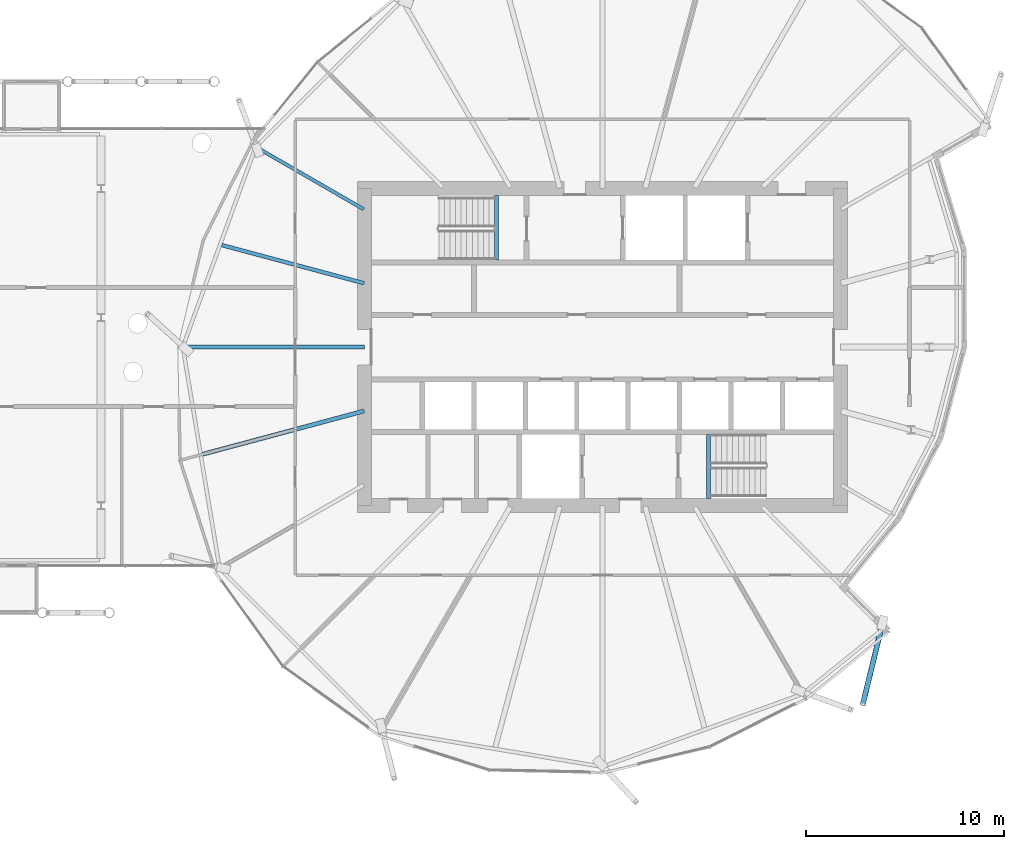
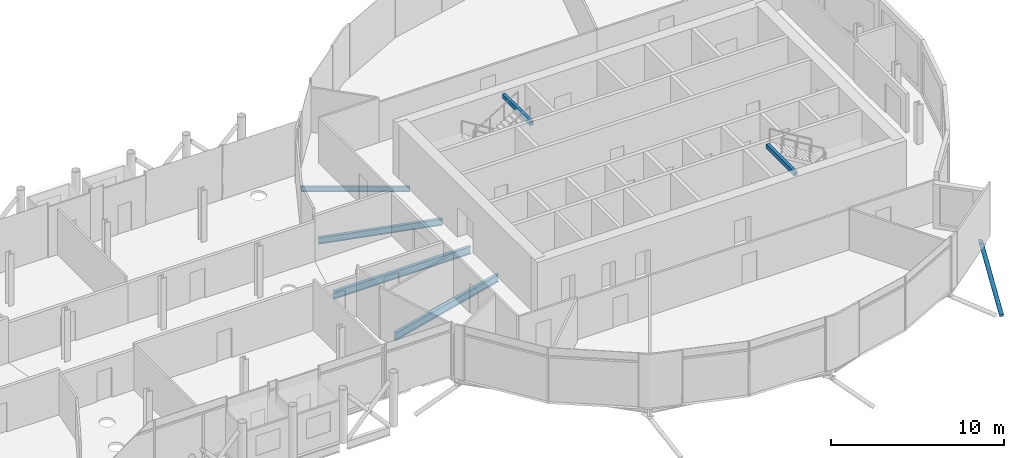
# One storey, part 15 of 39: 6 beams, 1 member.
"""IFC4 building model written with IfcOpenShell, lengths in metres."""

from ifc_helpers import new_model, si_unit, direction, frame, origin, origin_2d, place, context, subcontext, project, spatial, hollow_rectangle, hollow_circle, i_section, extrude, clip, halfspace, material, material_profile, profile_set, type_object, element, save


model = new_model("IFC4")

# Units and contexts
model_context = context("Model", 3, precision=1e-05, world=origin(), true_north=direction((0.0, 1.0)))
body_context = subcontext(model_context, "Body", "Model", "MODEL_VIEW")
ifc_project = project(units=[si_unit("LENGTHUNIT", "METRE"), si_unit("AREAUNIT", "SQUARE_METRE"), si_unit("VOLUMEUNIT", "CUBIC_METRE"), si_unit("PLANEANGLEUNIT", "RADIAN"), si_unit("MASSUNIT", "GRAM", prefix="KILO")], contexts=[model_context])

# Site, building, storey
site_placement = place(None, origin())
site = spatial("IfcSite", under=ifc_project, at=site_placement, CompositionType="ELEMENT")
building_placement = place(site_placement, origin())
building = spatial("IfcBuilding", under=site, at=building_placement, Name="Rimbun Link Towers", CompositionType="ELEMENT")
storey_placement = place(building_placement, frame((0.0, 0.0, 143.0)))
storey = spatial("IfcBuildingStorey", under=building, at=storey_placement, Name="L34", CompositionType="ELEMENT", Elevation=143.0)

# Member
ifc_material_1 = material(Name="Steel S355J2H", Category="steel")
ifc_material_profile_1 = material_profile(ifc_material_1, hollow_circle(Radius=0.136474609375, WallThickness=0.012451171875, at=origin_2d()), Name="CHS 273x12.5")
ifc_profile_set_1 = profile_set([ifc_material_profile_1], Name="Steel S355J2H")
member_type = type_object("IfcMemberType", Name="Floor edge link CHS 273x12.5", PredefinedType="BRACE", material=ifc_profile_set_1)
member_placement = place(storey_placement, frame((45.838134765625, -14.088134765625, -0.75341796875), z_axis=(-0.206047021231, -0.849825756101, -0.48511937635), x_axis=(0.971842601798, -0.235630977019, 0.0)))
element("IfcMember", 1, at=member_placement, inside=storey, type_object=member_type, Name="Floor edge link T2 L34 18", PredefinedType="BRACE", context=body_context, shape_type="Clipping", body=[
    clip(extrude(hollow_circle(Radius=0.136474609375, WallThickness=0.012451171875, at=origin_2d()), frame((0.0, 0.0, -0.5126953125)), (0.0, 0.0, 1.0), 5.159912109375), halfspace(frame((0.0, 0.0, -0.2431640625), z_axis=(0.0, 0.874447934808, -0.48511937635)), False)),
])

# Beams
ifc_material_2 = material(Name="Steel S355J2", Category="steel")
ifc_material_profile_2 = material_profile(ifc_material_2, hollow_rectangle(XDim=0.199951171875, YDim=0.300048828125, WallThickness=0.011962890625, at=origin_2d()), Name="BOX 300x200x12")
ifc_profile_set_2 = profile_set([ifc_material_profile_2], Name="Steel S355J2")
beam_type_1 = type_object("IfcBeamType", Name="Stair trimmer beam BOX 300x200x12", PredefinedType="BEAM", material=ifc_profile_set_2)
for number, where, z_axis, x_axis, name in (
    (2, (26.39990234375, 7.64990234375, 3.469970703125), (0.0, -1.0, 0.0), (1.0, 0.0, 0.0), "L34 ST3 stair beam 1"),
    (3, (37.10009765625, -7.64990234375, 3.469970703125), (0.0, 1.0, 0.0), (-1.0, 0.0, 0.0), "L34 ST4 stair beam 1"),
):
    element("IfcBeam", number, at=place(storey_placement, frame(where, z_axis=z_axis, x_axis=x_axis)), inside=storey, type_object=beam_type_1, Name=name, PredefinedType="BEAM", context=body_context, shape_type="SweptSolid", body=[
        extrude(hollow_rectangle(XDim=0.199951171875, YDim=0.300048828125, WallThickness=0.011962890625, at=origin_2d()), origin(), (0.0, 0.0, 1.0), 3.25),
    ])
ifc_material_3 = material(Name="Steel S355J2", Category="steel")
ifc_material_profile_3 = material_profile(ifc_material_3, i_section(OverallWidth=0.17138671875, OverallDepth=0.35498046875, WebThickness=0.00732421875, FlangeThickness=0.011474609375, at=origin_2d()), Name="UB 356x171x51")
ifc_profile_set_3 = profile_set([ifc_material_profile_3], Name="Steel S355J2")
beam_type_2 = type_object("IfcBeamType", Name="UB 356x171x51", PredefinedType="BEAM", material=ifc_profile_set_3)
beam_1_placement = place(storey_placement, frame((19.706298828125, 6.95361328125, -0.357421875), z_axis=(-0.866029291668, 0.499993265928, 0.0), x_axis=(-0.499993265928, -0.866029291668, 0.0)))
element("IfcBeam", 4, at=beam_1_placement, inside=storey, type_object=beam_type_2, Name="Radial beam T2 L34 07", PredefinedType="BEAM", context=body_context, shape_type="SweptSolid", body=[
    extrude(i_section(OverallWidth=0.17138671875, OverallDepth=0.35498046875, WebThickness=0.00732421875, FlangeThickness=0.011474609375, at=origin_2d()), origin(), (0.0, 0.0, 1.0), 6.294921875),
])
ifc_material_4 = material(Name="Steel S355J2", Category="steel")
ifc_material_profile_4 = material_profile(ifc_material_4, i_section(OverallWidth=0.18994140625, OverallDepth=0.453369140625, WebThickness=0.008544921875, FlangeThickness=0.0126953125, at=origin_2d()), Name="UB 457x191x67")
ifc_profile_set_4 = profile_set([ifc_material_profile_4], Name="Steel S355J2")
beam_type_3 = type_object("IfcBeamType", Name="UB 457x191x67", PredefinedType="BEAM", material=ifc_profile_set_4)
beam_2_placement = place(storey_placement, frame((19.724609375, 3.22216796875, -0.40673828125), z_axis=(-0.96592620408, 0.258817635162, 0.0), x_axis=(-0.258817635162, -0.96592620408, 0.0)))
element("IfcBeam", 5, at=beam_2_placement, inside=storey, type_object=beam_type_3, Name="Radial beam T2 L34 08", PredefinedType="BEAM", context=body_context, shape_type="SweptSolid", body=[
    extrude(i_section(OverallWidth=0.18994140625, OverallDepth=0.453369140625, WebThickness=0.008544921875, FlangeThickness=0.0126953125, at=origin_2d()), origin(), (0.0, 0.0, 1.0), 7.43212890625),
])
ifc_material_5 = material(Name="Steel S355J2", Category="steel")
ifc_material_profile_5 = material_profile(ifc_material_5, i_section(OverallWidth=0.209228515625, OverallDepth=0.533203125, WebThickness=0.010009765625, FlangeThickness=0.015625, at=origin_2d()), Name="UB 533x210x92")
ifc_profile_set_5 = profile_set([ifc_material_profile_5], Name="Steel S355J2")
beam_type_4 = type_object("IfcBeamType", Name="UB 533x210x92", PredefinedType="BEAM", material=ifc_profile_set_5)
beam_3_placement = place(storey_placement, frame((19.7490234375, 0.0, -0.446533203125), z_axis=(-1.0, 0.0, 0.0), x_axis=(0.0, -1.0, 0.0)))
element("IfcBeam", 6, at=beam_3_placement, inside=storey, type_object=beam_type_4, Name="Radial beam T2 L34 09", PredefinedType="BEAM", context=body_context, shape_type="SweptSolid", body=[
    extrude(i_section(OverallWidth=0.209228515625, OverallDepth=0.533203125, WebThickness=0.010009765625, FlangeThickness=0.015625, at=origin_2d()), origin(), (0.0, 0.0, 1.0), 9.17333984375),
])
beam_4_placement = place(storey_placement, frame((19.721923828125, -3.222900390625, -0.446533203125), z_axis=(-0.965926107703, -0.258817994849, 0.0), x_axis=(0.258817994849, -0.965926107703, 0.0)))
element("IfcBeam", 7, at=beam_4_placement, inside=storey, type_object=beam_type_4, Name="Radial beam T2 L34 10", PredefinedType="BEAM", context=body_context, shape_type="SweptSolid", body=[
    extrude(i_section(OverallWidth=0.209228515625, OverallDepth=0.533203125, WebThickness=0.010009765625, FlangeThickness=0.015625, at=origin_2d()), origin(), (0.0, 0.0, 1.0), 8.4423828125),
])

save(model, "model.ifc")
